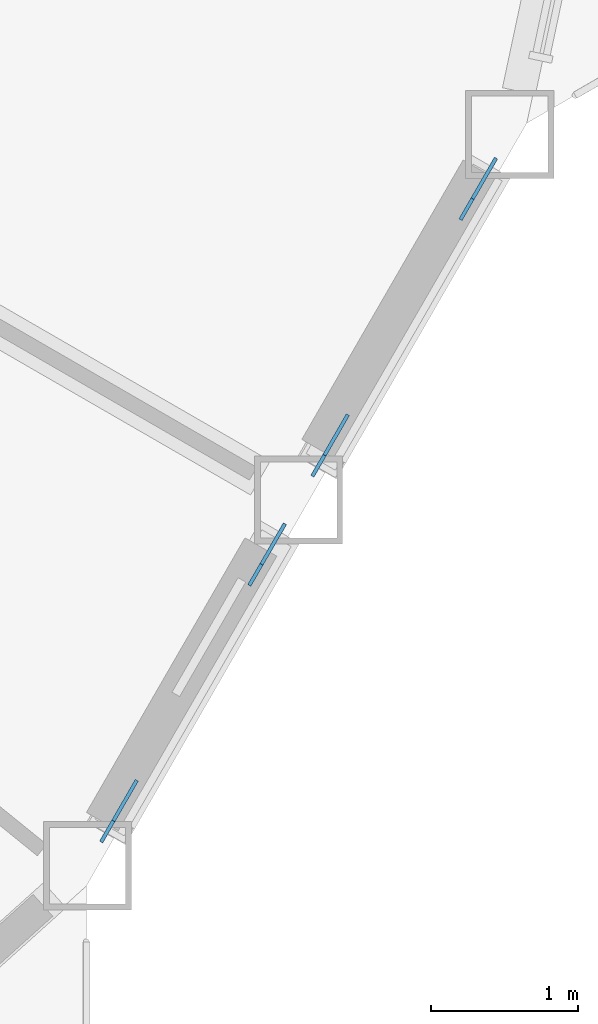
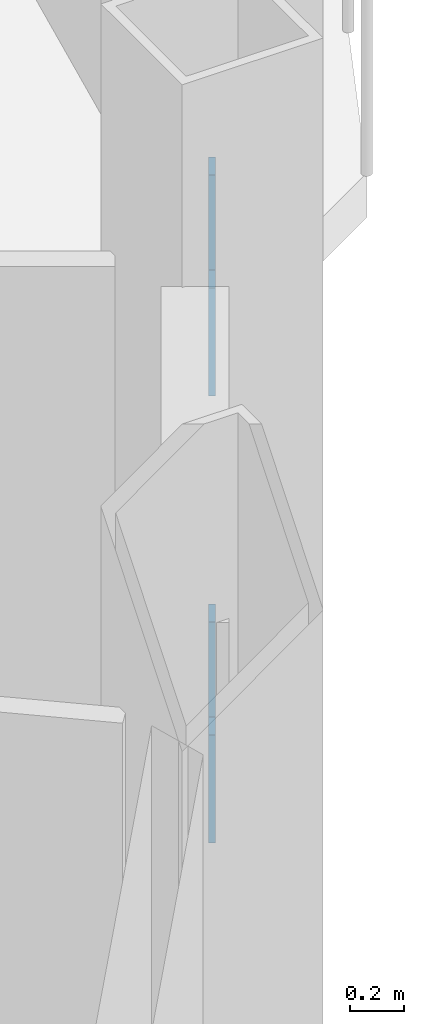
# One storey, part 20 of 26: 4 discrete accessories.
"""IFC4 building model written with IfcOpenShell, lengths in metres."""

from ifc_helpers import new_model, si_unit, direction, frame, origin, origin_2d, place, context, subcontext, project, spatial, rectangle, extrude, material, material_profile, profile_set, type_object, element, save


model = new_model("IFC4")

# Units and contexts
model_context = context("Model", 3, precision=1e-05, world=origin(), true_north=direction((0.0, 1.0)))
body_context = subcontext(model_context, "Body", "Model", "MODEL_VIEW")
ifc_project = project(units=[si_unit("LENGTHUNIT", "METRE"), si_unit("AREAUNIT", "SQUARE_METRE"), si_unit("VOLUMEUNIT", "CUBIC_METRE"), si_unit("PLANEANGLEUNIT", "RADIAN"), si_unit("MASSUNIT", "GRAM", prefix="KILO")], contexts=[model_context])

# Site, building, storey
site_placement = place(None, origin())
site = spatial("IfcSite", under=ifc_project, at=site_placement, CompositionType="ELEMENT")
building_placement = place(site_placement, origin())
building = spatial("IfcBuilding", under=site, at=building_placement, Name="Cormorant Prow Tower", CompositionType="ELEMENT")
storey_placement = place(building_placement, frame((0.0, 0.0, 339.199951171875)))
storey = spatial("IfcBuildingStorey", under=building, at=storey_placement, Name="L76", CompositionType="ELEMENT", Elevation=339.199951171875)

# Discrete accessories
ifc_material = material(Name="Structural steel ASTM A500 Gr C", Category="steel")
ifc_material_profile = material_profile(ifc_material, rectangle(XDim=0.02490234375, YDim=0.405029296875, at=origin_2d()), Name="Gusset plate 25x405")
ifc_profile_set = profile_set([ifc_material_profile], Name="Structural steel ASTM A500 Gr C")
discrete_accessory_type = type_object("IfcDiscreteAccessoryType", Name="Gusset plate 25x405", PredefinedType="BRACKET", material=ifc_profile_set)
discrete_accessory_1_placement = place(storey_placement, frame((27.137939453125, -16.34765625, 0.86376953125), z_axis=(0.45649114423, 0.790134518758, -0.409027233209), x_axis=(-0.865879799044, 0.500252110048, 0.0)))
element("IfcDiscreteAccessory", 1, at=discrete_accessory_1_placement, inside=storey, type_object=discrete_accessory_type, Name="Gusset plate GP3 L76.ESE00.g0", PredefinedType="BRACKET", context=body_context, shape_type="SweptSolid", body=[
    extrude(rectangle(XDim=0.02490234375, YDim=0.405029296875, at=origin_2d()), origin(), (0.0, 0.0, 1.0), 0.349853515625),
])
discrete_accessory_2_placement = place(storey_placement, frame((26.289794921875, -17.817138671875, 1.624267578125), z_axis=(-0.456791619277, -0.790144892581, 0.408671586101), x_axis=(0.865740004385, -0.50049400077, 0.0)))
element("IfcDiscreteAccessory", 2, at=discrete_accessory_2_placement, inside=storey, type_object=discrete_accessory_type, Name="Gusset plate GP3 L76.ESE00.g1", PredefinedType="BRACKET", context=body_context, shape_type="SweptSolid", body=[
    extrude(rectangle(XDim=0.02490234375, YDim=0.405029296875, at=origin_2d()), origin(), (0.0, 0.0, 1.0), 0.35009765625),
])
for number, where, z_axis, x_axis, name in (
    (3, (28.574951171875, -13.85888671875, 0.86376953125), (0.456239480558, 0.790396531303, -0.408801736402), (-0.866071029786, 0.499920965119, 0.0), "Gusset plate GP3 L76.ESE01.g0"),
    (4, (27.7265625, -15.328369140625, 1.624267578125), (-0.456239480558, -0.790396531303, 0.408801736402), (0.866071029786, -0.499920965119, 0.0), "Gusset plate GP3 L76.ESE01.g1"),
):
    element("IfcDiscreteAccessory", number, at=place(storey_placement, frame(where, z_axis=z_axis, x_axis=x_axis)), inside=storey, type_object=discrete_accessory_type, Name=name, PredefinedType="BRACKET", context=body_context, shape_type="SweptSolid", body=[
        extrude(rectangle(XDim=0.02490234375, YDim=0.405029296875, at=origin_2d()), origin(), (0.0, 0.0, 1.0), 0.349853515625),
    ])

save(model, "model.ifc")
